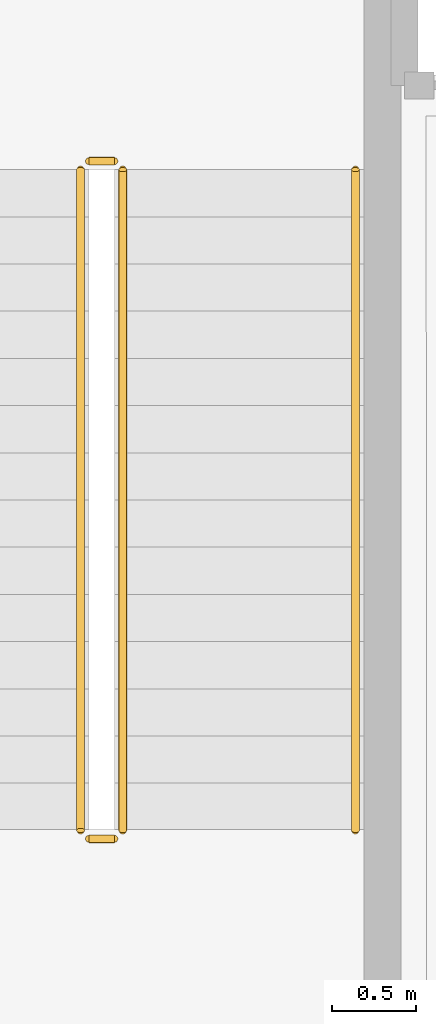
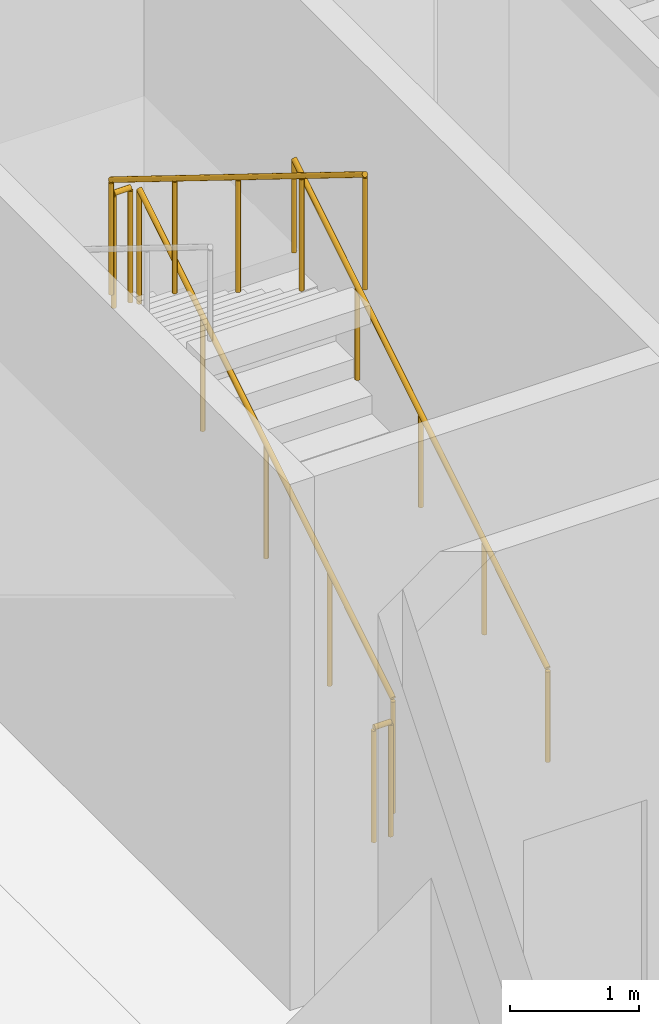
# One storey, part 39 of 41: 5 railings.
"""IFC4 building model written with IfcOpenShell, lengths in metres."""

from ifc_helpers import new_model, si_unit, direction, frame, origin, origin_2d, place, context, subcontext, project, spatial, circle, extrude, material, type_object, element, save


model = new_model("IFC4")

# Units and contexts
model_context = context("Model", 3, precision=1e-05, world=origin(), true_north=direction((0.0, 1.0)))
body_context = subcontext(model_context, "Body", "Model", "MODEL_VIEW")
ifc_project = project(units=[si_unit("LENGTHUNIT", "METRE"), si_unit("AREAUNIT", "SQUARE_METRE"), si_unit("VOLUMEUNIT", "CUBIC_METRE"), si_unit("PLANEANGLEUNIT", "RADIAN"), si_unit("MASSUNIT", "GRAM", prefix="KILO")], contexts=[model_context])

# Site, building, storey
site_placement = place(None, origin())
site = spatial("IfcSite", under=ifc_project, at=site_placement, CompositionType="ELEMENT")
building_placement = place(site_placement, origin())
building = spatial("IfcBuilding", under=site, at=building_placement, Name="Valdorenza Pilgrim Sanctuary Tower", CompositionType="ELEMENT")
storey_placement = place(building_placement, frame((0.0, 0.0, 20.800048828125)))
storey = spatial("IfcBuildingStorey", under=building, at=storey_placement, Name="L04", CompositionType="ELEMENT", Elevation=20.800048828125)

# Railings
ifc_material_1 = material(Name="Stainless steel Grade 316", Category="steel")
railing_type_1 = type_object("IfcRailingType", Name="RLG-GRD-1120", PredefinedType="GUARDRAIL", material=ifc_material_1)
railing_1_placement = place(storey_placement, frame((18.679931640625, 2.3798828125, 0.17333984375)))
element("IfcRailing", 1, at=railing_1_placement, inside=storey, type_object=railing_type_1, Name="L04 ST-B1 stair guard 1", PredefinedType="GUARDRAIL", context=body_context, shape_type="SweptSolid", body=[
    extrude(circle(Radius=0.02392578125, at=origin_2d()), frame((0.0, 0.0, 1.076171875), z_axis=(0.0, 0.850289973577, 0.526314507528), x_axis=(-1.0, 0.0, 0.0)), (0.0, 0.0, 1.0), 4.6103515625),
    extrude(circle(Radius=0.02099609375, at=origin_2d()), origin(), (0.0, 0.0, 1.0), 1.052001953125),
    extrude(circle(Radius=0.02099609375, at=origin_2d()), frame((0.0, 0.97998046875, 0.606689453125)), (0.0, 0.0, 1.0), 1.052001953125),
    extrude(circle(Radius=0.02099609375, at=origin_2d()), frame((0.0, 1.9599609375, 1.21337890625)), (0.0, 0.0, 1.0), 1.052001953125),
    extrude(circle(Radius=0.02099609375, at=origin_2d()), frame((0.0, 2.940185546875, 1.81982421875)), (0.0, 0.0, 1.0), 1.052001953125),
    extrude(circle(Radius=0.02099609375, at=origin_2d()), frame((0.0, 3.920166015625, 2.426513671875)), (0.0, 0.0, 1.0), 1.052001953125),
])
railing_2_placement = place(storey_placement, frame((18.6298828125, 6.35009765625, 2.599853515625)))
element("IfcRailing", 2, at=railing_2_placement, inside=storey, type_object=railing_type_1, Name="L04 ST-B1 stair guard 2", PredefinedType="GUARDRAIL", context=body_context, shape_type="SweptSolid", body=[
    extrude(circle(Radius=0.02392578125, at=origin_2d()), frame((0.0, 0.0, 1.076171875), z_axis=(-1.0, 0.0, 0.0), x_axis=(0.0, -1.0, 0.0)), (0.0, 0.0, 1.0), 0.14990234375),
    extrude(circle(Radius=0.02099609375, at=origin_2d()), origin(), (0.0, 0.0, 1.0), 1.052001953125),
    extrude(circle(Radius=0.02099609375, at=origin_2d()), frame((-0.14990234375, 0.0, 0.0)), (0.0, 0.0, 1.0), 1.052001953125),
])
railing_3_placement = place(storey_placement, frame((18.429931640625, 6.300048828125, 2.773193359375)))
element("IfcRailing", 3, at=railing_3_placement, inside=storey, type_object=railing_type_1, Name="L04 ST-B1 stair guard 3", PredefinedType="GUARDRAIL", context=body_context, shape_type="SweptSolid", body=[
    extrude(circle(Radius=0.02392578125, at=origin_2d()), frame((0.0, 0.0, 1.076171875), z_axis=(0.0, -0.850266275192, 0.526352791643), x_axis=(1.0, 0.0, 0.0)), (0.0, 0.0, 1.0), 4.610595703125),
    extrude(circle(Radius=0.02099609375, at=origin_2d()), origin(), (0.0, 0.0, 1.0), 1.052001953125),
    extrude(circle(Radius=0.02099609375, at=origin_2d()), frame((0.0, -0.97998046875, 0.606689453125)), (0.0, 0.0, 1.0), 1.052001953125),
    extrude(circle(Radius=0.02099609375, at=origin_2d()), frame((0.0, -1.9599609375, 1.21337890625)), (0.0, 0.0, 1.0), 1.052001953125),
    extrude(circle(Radius=0.02099609375, at=origin_2d()), frame((0.0, -2.940185546875, 1.820068359375)), (0.0, 0.0, 1.0), 1.052001953125),
    extrude(circle(Radius=0.02099609375, at=origin_2d()), frame((0.0, -3.920166015625, 2.4267578125)), (0.0, 0.0, 1.0), 1.052001953125),
])
railing_4_placement = place(storey_placement, frame((18.6298828125, 2.330078125, 0.0)))
element("IfcRailing", 4, at=railing_4_placement, inside=storey, type_object=railing_type_1, Name="L04 ST-B1 stair guard 4", PredefinedType="GUARDRAIL", context=body_context, shape_type="SweptSolid", body=[
    extrude(circle(Radius=0.02392578125, at=origin_2d()), frame((0.0, 0.0, 1.076171875), z_axis=(-1.0, 0.0, 0.0), x_axis=(0.0, -1.0, 0.0)), (0.0, 0.0, 1.0), 0.14990234375),
    extrude(circle(Radius=0.02099609375, at=origin_2d()), origin(), (0.0, 0.0, 1.0), 1.052001953125),
    extrude(circle(Radius=0.02099609375, at=origin_2d()), frame((-0.14990234375, 0.0, 0.0)), (0.0, 0.0, 1.0), 1.052001953125),
])
ifc_material_2 = material(Name="Brushed stainless steel Grade 316", Category="steel")
railing_type_2 = type_object("IfcRailingType", Name="RLG-HND-920", PredefinedType="HANDRAIL", material=ifc_material_2)
railing_5_placement = place(storey_placement, frame((20.06005859375, 2.3798828125, 0.17333984375)))
element("IfcRailing", 5, at=railing_5_placement, inside=storey, type_object=railing_type_2, Name="L04 ST-B1 stair handrail 1", PredefinedType="HANDRAIL", context=body_context, shape_type="SweptSolid", body=[
    extrude(circle(Radius=0.02392578125, at=origin_2d()), frame((0.0, 0.0, 0.8759765625), z_axis=(0.0, 0.850289973577, 0.526314507528), x_axis=(-1.0, 0.0, 0.0)), (0.0, 0.0, 1.0), 4.6103515625),
    extrude(circle(Radius=0.02099609375, at=origin_2d()), origin(), (0.0, 0.0, 1.0), 0.851806640625),
    extrude(circle(Radius=0.02099609375, at=origin_2d()), frame((0.0, 0.97998046875, 0.606689453125)), (0.0, 0.0, 1.0), 0.851806640625),
    extrude(circle(Radius=0.02099609375, at=origin_2d()), frame((0.0, 1.9599609375, 1.21337890625)), (0.0, 0.0, 1.0), 0.851806640625),
    extrude(circle(Radius=0.02099609375, at=origin_2d()), frame((0.0, 2.940185546875, 1.81982421875)), (0.0, 0.0, 1.0), 0.851806640625),
    extrude(circle(Radius=0.02099609375, at=origin_2d()), frame((0.0, 3.920166015625, 2.426513671875)), (0.0, 0.0, 1.0), 0.851806640625),
])

save(model, "model.ifc")
